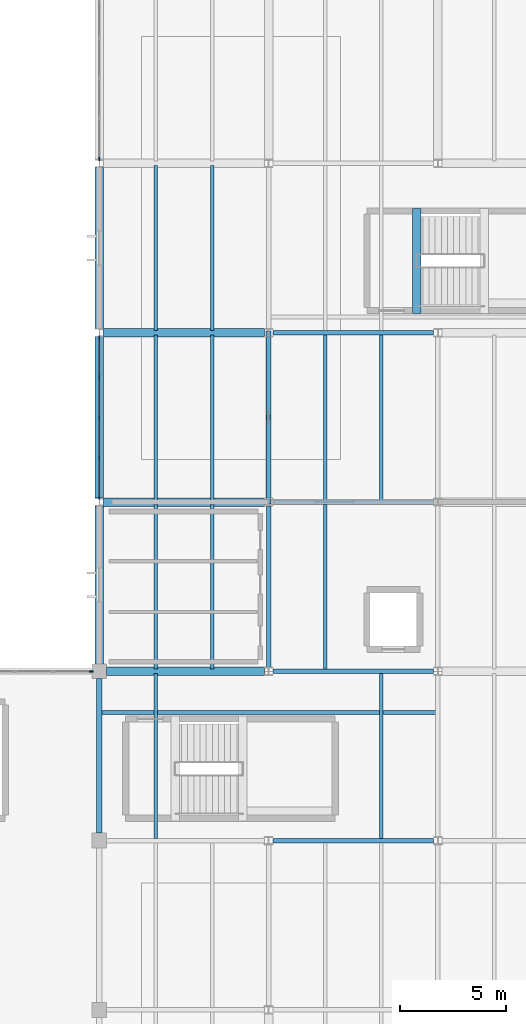
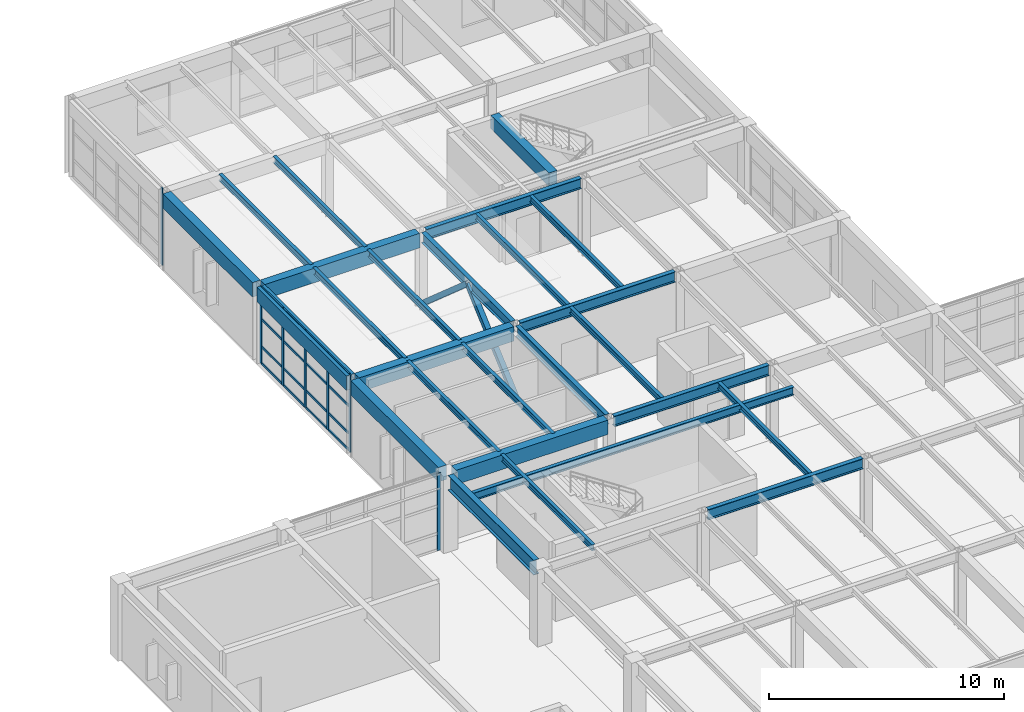
# One storey, part 23 of 48: 26 beams, 25 members, 3 elements without a shape of their own.
"""IFC4 building model written with IfcOpenShell, lengths in metres."""

from ifc_helpers import new_model, si_unit, direction, frame, origin, origin_2d, place, context, subcontext, project, spatial, rectangle, hollow_rectangle, i_section, extrude, material, layer, layer_set, material_profile, profile_set, type_object, element, aggregate, save


model = new_model("IFC4")

# Units and contexts
model_context = context("Model", 3, precision=1e-05, world=origin(), true_north=direction((0.0, 1.0)))
body_context = subcontext(model_context, "Body", "Model", "MODEL_VIEW")
ifc_project = project(units=[si_unit("LENGTHUNIT", "METRE"), si_unit("AREAUNIT", "SQUARE_METRE"), si_unit("VOLUMEUNIT", "CUBIC_METRE"), si_unit("PLANEANGLEUNIT", "RADIAN"), si_unit("MASSUNIT", "GRAM", prefix="KILO")], contexts=[model_context])

# Site, building, storey
site_placement = place(None, origin())
site = spatial("IfcSite", under=ifc_project, at=site_placement, CompositionType="ELEMENT")
building_placement = place(site_placement, origin())
building = spatial("IfcBuilding", under=site, at=building_placement, Name="Varnela Railside Interchange", CompositionType="ELEMENT")
storey_placement = place(building_placement, frame((0.0, 0.0, 11.199951171875)))
storey = spatial("IfcBuildingStorey", under=building, at=storey_placement, Name="L02", CompositionType="ELEMENT", Elevation=11.199951171875)

# Beams
ifc_material_1 = material(Name="Steel AR 350 (350 MPa)", Category="steel")
ifc_material_profile_1 = material_profile(ifc_material_1, i_section(OverallWidth=0.2109375, OverallDepth=0.5390625, WebThickness=0.01171875, FlangeThickness=0.018798828125, at=origin_2d()), Name="W530x109")
ifc_profile_set_1 = profile_set([ifc_material_profile_1], Name="Steel AR 350 (350 MPa)")
beam_type_1 = type_object("IfcBeamType", Name="Composite Girder B-17", PredefinedType="BEAM", material=ifc_profile_set_1)
for number, where, z_axis, x_axis, name in (
    (1, (124.0, 62.1875, 3.73046875), (0.0, 1.0, 0.0), (-1.0, 0.0, 0.0), "Composite Girder B-17 (L02) (BM-2030)"),
    (2, (124.0, 70.1875, 3.73046875), (0.0, 1.0, 0.0), (-1.0, 0.0, 0.0), "Composite Girder B-17 (L02) (BM-2031)"),
):
    element("IfcBeam", number, at=place(storey_placement, frame(where, z_axis=z_axis, x_axis=x_axis)), inside=storey, type_object=beam_type_1, Name=name, PredefinedType="BEAM", context=body_context, shape_type="SweptSolid", body=[
        extrude(i_section(OverallWidth=0.2109375, OverallDepth=0.5390625, WebThickness=0.01171875, FlangeThickness=0.018798828125, at=origin_2d()), origin(), (0.0, 0.0, 1.0), 7.625),
    ])
ifc_material_profile_2 = material_profile(ifc_material_1, i_section(OverallWidth=0.2119140625, OverallDepth=0.5439453125, WebThickness=0.01318359375, FlangeThickness=0.021240234375, at=origin_2d()), Name="W530x123")
ifc_profile_set_2 = profile_set([ifc_material_profile_2], Name="Steel AR 350 (350 MPa)")
beam_type_2 = type_object("IfcBeamType", Name="Composite Heavy Girder B-16", PredefinedType="BEAM", material=ifc_profile_set_2)
for number, where, z_axis, x_axis, name in (
    (3, (124.197021484375, 54.0, 3.72802734375), (1.0, 0.0, 0.0), (0.0, 1.0, 0.0), "Composite Heavy Girder B-16 (L02) (BM-1965)"),
    (4, (124.197021484375, 62.0, 3.72802734375), (1.0, 0.0, 0.0), (0.0, 1.0, 0.0), "Composite Heavy Girder B-16 (L02) (BM-1976)"),
    (5, (124.197021484375, 70.0, 3.72802734375), (1.0, 0.0, 0.0), (0.0, 1.0, 0.0), "Composite Heavy Girder B-16 (L02) (BM-1987)"),
    (6, (124.197021484375, 78.0, 3.72802734375), (1.0, 0.0, 0.0), (0.0, 1.0, 0.0), "Composite Heavy Girder B-16 (L02) (BM-1993)"),
):
    element("IfcBeam", number, at=place(storey_placement, frame(where, z_axis=z_axis, x_axis=x_axis)), inside=storey, type_object=beam_type_2, Name=name, PredefinedType="BEAM", context=body_context, shape_type="SweptSolid", body=[
        extrude(i_section(OverallWidth=0.2119140625, OverallDepth=0.5439453125, WebThickness=0.01318359375, FlangeThickness=0.021240234375, at=origin_2d()), origin(), (0.0, 0.0, 1.0), 7.60595703125),
    ])
ifc_material_profile_3 = material_profile(ifc_material_1, i_section(OverallWidth=0.1669921875, OverallDepth=0.31689453125, WebThickness=0.007568359375, FlangeThickness=0.01318359375, at=origin_2d()), Name="W310x52")
ifc_profile_set_3 = profile_set([ifc_material_profile_3], Name="Steel AR 350 (350 MPa)")
beam_type_3 = type_object("IfcBeamType", Name="Composite Long-Span Joist J-03", PredefinedType="JOIST", material=ifc_profile_set_3)
for number, where, z_axis, x_axis, name in (
    (7, (118.669921875, 54.10595703125, 3.841552734375), (0.0, 1.0, 0.0), (-1.0, 0.0, 0.0), "Composite Long-Span Joist J-03 (L02) (BM-1845)"),
    (8, (118.669921875, 62.10595703125, 3.841552734375), (0.0, 1.0, 0.0), (-1.0, 0.0, 0.0), "Composite Long-Span Joist J-03 (L02) (BM-1846)"),
    (9, (121.330078125, 62.10595703125, 3.841552734375), (0.0, 1.0, 0.0), (-1.0, 0.0, 0.0), "Composite Long-Span Joist J-03 (L02) (BM-1847)"),
    (10, (118.669921875, 70.10595703125, 3.841552734375), (0.0, 1.0, 0.0), (-1.0, 0.0, 0.0), "Composite Long-Span Joist J-03 (L02) (BM-1848)"),
    (11, (121.330078125, 70.10595703125, 3.841552734375), (0.0, 1.0, 0.0), (-1.0, 0.0, 0.0), "Composite Long-Span Joist J-03 (L02) (BM-1849)"),
    (12, (118.669921875, 78.10595703125, 3.841552734375), (0.0, 1.0, 0.0), (-1.0, 0.0, 0.0), "Composite Long-Span Joist J-03 (L02) (BM-1850)"),
    (13, (121.330078125, 78.10595703125, 3.841552734375), (0.0, 1.0, 0.0), (-1.0, 0.0, 0.0), "Composite Long-Span Joist J-03 (L02) (BM-1851)"),
    (14, (129.330078125, 54.10595703125, 3.841552734375), (0.0, 1.0, 0.0), (-1.0, 0.0, 0.0), "Composite Long-Span Joist J-03 (L02) (BM-1858)"),
    (15, (126.669921875, 62.10595703125, 3.841552734375), (0.0, 1.0, 0.0), (-1.0, 0.0, 0.0), "Composite Long-Span Joist J-03 (L02) (BM-1859)"),
    (16, (126.669921875, 70.10595703125, 3.841552734375), (0.0, 1.0, 0.0), (-1.0, 0.0, 0.0), "Composite Long-Span Joist J-03 (L02) (BM-1860)"),
    (17, (129.330078125, 70.10595703125, 3.841552734375), (0.0, 1.0, 0.0), (-1.0, 0.0, 0.0), "Composite Long-Span Joist J-03 (L02) (BM-1861)"),
):
    element("IfcBeam", number, at=place(storey_placement, frame(where, z_axis=z_axis, x_axis=x_axis)), inside=storey, type_object=beam_type_3, Name=name, PredefinedType="JOIST", context=body_context, shape_type="SweptSolid", body=[
        extrude(i_section(OverallWidth=0.1669921875, OverallDepth=0.31689453125, WebThickness=0.007568359375, FlangeThickness=0.01318359375, at=origin_2d()), origin(), (0.0, 0.0, 1.0), 7.7880859375),
    ])
ifc_material_profile_4 = material_profile(ifc_material_1, i_section(OverallWidth=0.26806640625, OverallDepth=0.77001953125, WebThickness=0.015625, FlangeThickness=0.025390625, at=origin_2d()), Name="W760x196")
ifc_profile_set_4 = profile_set([ifc_material_profile_4], Name="Steel AR 350 (350 MPa)")
beam_type_4 = type_object("IfcBeamType", Name="Concourse Compression Ring Beam RB-01", PredefinedType="BEAM", material=ifc_profile_set_4)
beam_1_placement = place(storey_placement, frame((116.0, 54.35009765625, 3.614990234375), z_axis=(0.0, 1.0, 0.0), x_axis=(-1.0, 0.0, 0.0)))
element("IfcBeam", 18, at=beam_1_placement, inside=storey, type_object=beam_type_4, Name="Concourse Compression Ring Beam RB-01 (L02) (BM-2023)", PredefinedType="BEAM", context=body_context, shape_type="SweptSolid", body=[
    extrude(i_section(OverallWidth=0.26806640625, OverallDepth=0.77001953125, WebThickness=0.015625, FlangeThickness=0.025390625, at=origin_2d()), origin(), (0.0, 0.0, 1.0), 7.2998046875),
])

# Curtain wall, member
ifc_material_2 = material(Name="Aluminium 6063-T6", Category="aluminium")
ifc_layer_1 = layer(ifc_material_2, 0.035888671875)
ifc_layer_set_1 = layer_set([ifc_layer_1], Name="Aluminium 6063-T6")
curtain_wall_type_1 = type_object("IfcCurtainWallType", Name="Concourse Triple-Height Curtain Wall CW-01", PredefinedType="USERDEFINED", material=ifc_layer_set_1)
curtain_wall_1_placement = place(storey_placement, origin())
curtain_wall_1 = element("IfcCurtainWall", 19, at=curtain_wall_1_placement, inside=storey, type_object=curtain_wall_type_1, Name="Curtain Wall CW-01 (L02) (CW-054)", ObjectType="CURTAIN WALL", PredefinedType="USERDEFINED")
ifc_material_profile_5 = material_profile(ifc_material_2, rectangle(XDim=0.06494140625, YDim=0.179931640625, at=origin_2d()), Name="ALU 65x180")
ifc_profile_set_5 = profile_set([ifc_material_profile_5], Name="Aluminium 6063-T6")
member_type_1 = type_object("IfcMemberType", Name="Concourse Tall Mullion ML-03", PredefinedType="MULLION", material=ifc_profile_set_5)
member_1_placement = place(storey_placement, frame((115.617431640625, 62.0, 0.0), z_axis=(0.0, 0.0, 1.0), x_axis=(0.0, 1.0, 0.0)))
member_1 = element("IfcMember", 20, at=member_1_placement, type_object=member_type_1, Name="CW-01 mullion 5", PredefinedType="MULLION", context=body_context, shape_type="SweptSolid", body=[
    extrude(rectangle(XDim=0.06494140625, YDim=0.179931640625, at=origin_2d()), origin(), (0.0, 0.0, 1.0), 4.0),
])
aggregate(curtain_wall_1, [member_1])

# Beam
ifc_material_3 = material(Name="Concrete C40", Category="concrete")
ifc_material_profile_6 = material_profile(ifc_material_3, rectangle(XDim=0.39990234375, YDim=0.699951171875, at=origin_2d()), Name="RC 400x700")
ifc_profile_set_6 = profile_set([ifc_material_profile_6], Name="Concrete C40")
beam_type_5 = type_object("IfcBeamType", Name="Concrete Tie Beam B-01", PredefinedType="BEAM", material=ifc_profile_set_6)
beam_2_placement = place(storey_placement, frame((131.0, 78.919921875, 3.650146484375), z_axis=(0.0, 1.0, 0.0), x_axis=(-1.0, 0.0, 0.0)))
element("IfcBeam", 21, at=beam_2_placement, inside=storey, type_object=beam_type_5, Name="Concrete Tie Beam B-01 (L02) (BM-2113)", PredefinedType="BEAM", context=body_context, shape_type="SweptSolid", body=[
    extrude(rectangle(XDim=0.39990234375, YDim=0.699951171875, at=origin_2d()), origin(), (0.0, 0.0, 1.0), 4.9599609375),
])

# Curtain wall, members
ifc_layer_2 = layer(ifc_material_2, 0.035888671875)
ifc_layer_set_2 = layer_set([ifc_layer_2], Name="Aluminium 6063-T6")
curtain_wall_type_2 = type_object("IfcCurtainWallType", Name="Study Pavilion Gallery Curtain Wall CW-02", PredefinedType="USERDEFINED", material=ifc_layer_set_2)
curtain_wall_2_placement = place(storey_placement, origin())
curtain_wall_2 = element("IfcCurtainWall", 22, at=curtain_wall_2_placement, inside=storey, type_object=curtain_wall_type_2, Name="Curtain Wall CW-02 (L02) (CW-055)", ObjectType="CURTAIN WALL", PredefinedType="USERDEFINED")
ifc_material_profile_7 = material_profile(ifc_material_2, rectangle(XDim=0.06005859375, YDim=0.159912109375, at=origin_2d()), Name="ALU 60x160")
ifc_profile_set_7 = profile_set([ifc_material_profile_7], Name="Aluminium 6063-T6")
member_type_2 = type_object("IfcMemberType", Name="Curtain Wall Mullion ML-02", PredefinedType="MULLION", material=ifc_profile_set_7)
member_2_placement = place(storey_placement, frame((116.0, 70.217529296875, 0.0), z_axis=(0.0, 0.0, 1.0), x_axis=(-1.0, 0.0, 0.0)))
member_2 = element("IfcMember", 23, at=member_2_placement, type_object=member_type_2, Name="CW-02 mullion 1", PredefinedType="MULLION", context=body_context, shape_type="SweptSolid", body=[
    extrude(rectangle(XDim=0.06005859375, YDim=0.159912109375, at=origin_2d()), origin(), (0.0, 0.0, 1.0), 4.0),
])
member_3_placement = place(storey_placement, frame((116.0, 72.09375, 0.0), z_axis=(0.0, 0.0, 1.0), x_axis=(-1.0, 0.0, 0.0)))
member_3 = element("IfcMember", 24, at=member_3_placement, type_object=member_type_2, Name="CW-02 mullion 2", PredefinedType="MULLION", context=body_context, shape_type="SweptSolid", body=[
    extrude(rectangle(XDim=0.06005859375, YDim=0.159912109375, at=origin_2d()), origin(), (0.0, 0.0, 1.0), 4.0),
])
member_4_placement = place(storey_placement, frame((116.0, 74.0, 0.0), z_axis=(0.0, 0.0, 1.0), x_axis=(-1.0, 0.0, 0.0)))
member_4 = element("IfcMember", 25, at=member_4_placement, type_object=member_type_2, Name="CW-02 mullion 3", PredefinedType="MULLION", context=body_context, shape_type="SweptSolid", body=[
    extrude(rectangle(XDim=0.06005859375, YDim=0.159912109375, at=origin_2d()), origin(), (0.0, 0.0, 1.0), 4.0),
])
member_5_placement = place(storey_placement, frame((116.0, 75.90625, 0.0), z_axis=(0.0, 0.0, 1.0), x_axis=(-1.0, 0.0, 0.0)))
member_5 = element("IfcMember", 26, at=member_5_placement, type_object=member_type_2, Name="CW-02 mullion 4", PredefinedType="MULLION", context=body_context, shape_type="SweptSolid", body=[
    extrude(rectangle(XDim=0.06005859375, YDim=0.159912109375, at=origin_2d()), origin(), (0.0, 0.0, 1.0), 4.0),
])
member_6_placement = place(storey_placement, frame((116.0, 77.782470703125, 0.0), z_axis=(0.0, 0.0, 1.0), x_axis=(-1.0, 0.0, 0.0)))
member_6 = element("IfcMember", 27, at=member_6_placement, type_object=member_type_2, Name="CW-02 mullion 5", PredefinedType="MULLION", context=body_context, shape_type="SweptSolid", body=[
    extrude(rectangle(XDim=0.06005859375, YDim=0.159912109375, at=origin_2d()), origin(), (0.0, 0.0, 1.0), 4.0),
])

# Curtain wall, member
curtain_wall_3_placement = place(storey_placement, origin())
curtain_wall_3 = element("IfcCurtainWall", 28, at=curtain_wall_3_placement, inside=storey, type_object=curtain_wall_type_2, Name="Curtain Wall CW-02 (L02) (CW-056)", ObjectType="CURTAIN WALL", PredefinedType="USERDEFINED")
member_7_placement = place(storey_placement, frame((116.0, 86.217529296875, 0.0), z_axis=(0.0, 0.0, 1.0), x_axis=(-1.0, 0.0, 0.0)))
member_7 = element("IfcMember", 29, at=member_7_placement, type_object=member_type_2, Name="CW-02 mullion 1", PredefinedType="MULLION", context=body_context, shape_type="SweptSolid", body=[
    extrude(rectangle(XDim=0.06005859375, YDim=0.159912109375, at=origin_2d()), origin(), (0.0, 0.0, 1.0), 4.0),
])
aggregate(curtain_wall_3, [member_7])

# Member
ifc_material_profile_8 = material_profile(ifc_material_2, rectangle(XDim=0.06005859375, YDim=0.1201171875, at=origin_2d()), Name="ALU 60x120")
ifc_profile_set_8 = profile_set([ifc_material_profile_8], Name="Aluminium 6063-T6")
member_type_3 = type_object("IfcMemberType", Name="Curtain Wall Transom TR-02", PredefinedType="USERDEFINED", material=ifc_profile_set_8)
member_8_placement = place(storey_placement, frame((116.0, 70.24755859375, 0.030029296875), z_axis=(0.0, 1.0, 0.0), x_axis=(-1.0, 0.0, 0.0)))
member_8 = element("IfcMember", 30, at=member_8_placement, type_object=member_type_3, Name="CW-02 transom 1.1", ObjectType="TRANSOM", PredefinedType="USERDEFINED", context=body_context, shape_type="SweptSolid", body=[
    extrude(rectangle(XDim=0.06005859375, YDim=0.1201171875, at=origin_2d()), origin(), (0.0, 0.0, 1.0), 1.816162109375),
])

member_9_placement = place(storey_placement, frame((116.0, 70.24755859375, 0.900146484375), z_axis=(0.0, 1.0, 0.0), x_axis=(-1.0, 0.0, 0.0)))
member_9 = element("IfcMember", 31, at=member_9_placement, type_object=member_type_3, Name="CW-02 transom 1.2", ObjectType="TRANSOM", PredefinedType="USERDEFINED", context=body_context, shape_type="SweptSolid", body=[
    extrude(rectangle(XDim=0.06005859375, YDim=0.1201171875, at=origin_2d()), origin(), (0.0, 0.0, 1.0), 1.816162109375),
])

member_10_placement = place(storey_placement, frame((116.0, 70.24755859375, 2.320068359375), z_axis=(0.0, 1.0, 0.0), x_axis=(-1.0, 0.0, 0.0)))
member_10 = element("IfcMember", 32, at=member_10_placement, type_object=member_type_3, Name="CW-02 transom 1.3", ObjectType="TRANSOM", PredefinedType="USERDEFINED", context=body_context, shape_type="SweptSolid", body=[
    extrude(rectangle(XDim=0.06005859375, YDim=0.1201171875, at=origin_2d()), origin(), (0.0, 0.0, 1.0), 1.816162109375),
])

member_11_placement = place(storey_placement, frame((116.0, 70.24755859375, 3.969970703125), z_axis=(0.0, 1.0, 0.0), x_axis=(-1.0, 0.0, 0.0)))
member_11 = element("IfcMember", 33, at=member_11_placement, type_object=member_type_3, Name="CW-02 transom 1.4", ObjectType="TRANSOM", PredefinedType="USERDEFINED", context=body_context, shape_type="SweptSolid", body=[
    extrude(rectangle(XDim=0.06005859375, YDim=0.1201171875, at=origin_2d()), origin(), (0.0, 0.0, 1.0), 1.816162109375),
])

member_12_placement = place(storey_placement, frame((116.0, 72.123779296875, 0.030029296875), z_axis=(0.0, 1.0, 0.0), x_axis=(-1.0, 0.0, 0.0)))
member_12 = element("IfcMember", 34, at=member_12_placement, type_object=member_type_3, Name="CW-02 transom 2.1", ObjectType="TRANSOM", PredefinedType="USERDEFINED", context=body_context, shape_type="SweptSolid", body=[
    extrude(rectangle(XDim=0.06005859375, YDim=0.1201171875, at=origin_2d()), origin(), (0.0, 0.0, 1.0), 1.84619140625),
])

member_13_placement = place(storey_placement, frame((116.0, 72.123779296875, 0.900146484375), z_axis=(0.0, 1.0, 0.0), x_axis=(-1.0, 0.0, 0.0)))
member_13 = element("IfcMember", 35, at=member_13_placement, type_object=member_type_3, Name="CW-02 transom 2.2", ObjectType="TRANSOM", PredefinedType="USERDEFINED", context=body_context, shape_type="SweptSolid", body=[
    extrude(rectangle(XDim=0.06005859375, YDim=0.1201171875, at=origin_2d()), origin(), (0.0, 0.0, 1.0), 1.84619140625),
])

member_14_placement = place(storey_placement, frame((116.0, 72.123779296875, 2.320068359375), z_axis=(0.0, 1.0, 0.0), x_axis=(-1.0, 0.0, 0.0)))
member_14 = element("IfcMember", 36, at=member_14_placement, type_object=member_type_3, Name="CW-02 transom 2.3", ObjectType="TRANSOM", PredefinedType="USERDEFINED", context=body_context, shape_type="SweptSolid", body=[
    extrude(rectangle(XDim=0.06005859375, YDim=0.1201171875, at=origin_2d()), origin(), (0.0, 0.0, 1.0), 1.84619140625),
])

member_15_placement = place(storey_placement, frame((116.0, 72.123779296875, 3.969970703125), z_axis=(0.0, 1.0, 0.0), x_axis=(-1.0, 0.0, 0.0)))
member_15 = element("IfcMember", 37, at=member_15_placement, type_object=member_type_3, Name="CW-02 transom 2.4", ObjectType="TRANSOM", PredefinedType="USERDEFINED", context=body_context, shape_type="SweptSolid", body=[
    extrude(rectangle(XDim=0.06005859375, YDim=0.1201171875, at=origin_2d()), origin(), (0.0, 0.0, 1.0), 1.84619140625),
])

member_16_placement = place(storey_placement, frame((116.0, 74.030029296875, 0.030029296875), z_axis=(0.0, 1.0, 0.0), x_axis=(-1.0, 0.0, 0.0)))
member_16 = element("IfcMember", 38, at=member_16_placement, type_object=member_type_3, Name="CW-02 transom 3.1", ObjectType="TRANSOM", PredefinedType="USERDEFINED", context=body_context, shape_type="SweptSolid", body=[
    extrude(rectangle(XDim=0.06005859375, YDim=0.1201171875, at=origin_2d()), origin(), (0.0, 0.0, 1.0), 1.84619140625),
])

member_17_placement = place(storey_placement, frame((116.0, 74.030029296875, 0.900146484375), z_axis=(0.0, 1.0, 0.0), x_axis=(-1.0, 0.0, 0.0)))
member_17 = element("IfcMember", 39, at=member_17_placement, type_object=member_type_3, Name="CW-02 transom 3.2", ObjectType="TRANSOM", PredefinedType="USERDEFINED", context=body_context, shape_type="SweptSolid", body=[
    extrude(rectangle(XDim=0.06005859375, YDim=0.1201171875, at=origin_2d()), origin(), (0.0, 0.0, 1.0), 1.84619140625),
])

member_18_placement = place(storey_placement, frame((116.0, 74.030029296875, 2.320068359375), z_axis=(0.0, 1.0, 0.0), x_axis=(-1.0, 0.0, 0.0)))
member_18 = element("IfcMember", 40, at=member_18_placement, type_object=member_type_3, Name="CW-02 transom 3.3", ObjectType="TRANSOM", PredefinedType="USERDEFINED", context=body_context, shape_type="SweptSolid", body=[
    extrude(rectangle(XDim=0.06005859375, YDim=0.1201171875, at=origin_2d()), origin(), (0.0, 0.0, 1.0), 1.84619140625),
])

member_19_placement = place(storey_placement, frame((116.0, 74.030029296875, 3.969970703125), z_axis=(0.0, 1.0, 0.0), x_axis=(-1.0, 0.0, 0.0)))
member_19 = element("IfcMember", 41, at=member_19_placement, type_object=member_type_3, Name="CW-02 transom 3.4", ObjectType="TRANSOM", PredefinedType="USERDEFINED", context=body_context, shape_type="SweptSolid", body=[
    extrude(rectangle(XDim=0.06005859375, YDim=0.1201171875, at=origin_2d()), origin(), (0.0, 0.0, 1.0), 1.84619140625),
])

member_20_placement = place(storey_placement, frame((116.0, 75.936279296875, 0.030029296875), z_axis=(0.0, 1.0, 0.0), x_axis=(-1.0, 0.0, 0.0)))
member_20 = element("IfcMember", 42, at=member_20_placement, type_object=member_type_3, Name="CW-02 transom 4.1", ObjectType="TRANSOM", PredefinedType="USERDEFINED", context=body_context, shape_type="SweptSolid", body=[
    extrude(rectangle(XDim=0.06005859375, YDim=0.1201171875, at=origin_2d()), origin(), (0.0, 0.0, 1.0), 1.816162109375),
])

member_21_placement = place(storey_placement, frame((116.0, 75.936279296875, 0.900146484375), z_axis=(0.0, 1.0, 0.0), x_axis=(-1.0, 0.0, 0.0)))
member_21 = element("IfcMember", 43, at=member_21_placement, type_object=member_type_3, Name="CW-02 transom 4.2", ObjectType="TRANSOM", PredefinedType="USERDEFINED", context=body_context, shape_type="SweptSolid", body=[
    extrude(rectangle(XDim=0.06005859375, YDim=0.1201171875, at=origin_2d()), origin(), (0.0, 0.0, 1.0), 1.816162109375),
])

member_22_placement = place(storey_placement, frame((116.0, 75.936279296875, 2.320068359375), z_axis=(0.0, 1.0, 0.0), x_axis=(-1.0, 0.0, 0.0)))
member_22 = element("IfcMember", 44, at=member_22_placement, type_object=member_type_3, Name="CW-02 transom 4.3", ObjectType="TRANSOM", PredefinedType="USERDEFINED", context=body_context, shape_type="SweptSolid", body=[
    extrude(rectangle(XDim=0.06005859375, YDim=0.1201171875, at=origin_2d()), origin(), (0.0, 0.0, 1.0), 1.816162109375),
])

member_23_placement = place(storey_placement, frame((116.0, 75.936279296875, 3.969970703125), z_axis=(0.0, 1.0, 0.0), x_axis=(-1.0, 0.0, 0.0)))
member_23 = element("IfcMember", 45, at=member_23_placement, type_object=member_type_3, Name="CW-02 transom 4.4", ObjectType="TRANSOM", PredefinedType="USERDEFINED", context=body_context, shape_type="SweptSolid", body=[
    extrude(rectangle(XDim=0.06005859375, YDim=0.1201171875, at=origin_2d()), origin(), (0.0, 0.0, 1.0), 1.816162109375),
])

aggregate(curtain_wall_2, [member_2, member_3, member_4, member_5, member_6, member_8, member_9, member_10, member_11, member_12, member_13, member_14, member_15, member_16, member_17, member_18, member_19, member_20, member_21, member_22, member_23])

# Members
ifc_material_profile_9 = material_profile(ifc_material_1, hollow_rectangle(XDim=0.25, YDim=0.25, WallThickness=0.01611328125, at=origin_2d()), Name="HSS 250x250x16")
ifc_profile_set_9 = profile_set([ifc_material_profile_9], Name="Steel AR 350 (350 MPa)")
member_type_4 = type_object("IfcMemberType", Name="Lateral Chevron Brace BR-03", PredefinedType="BRACE", material=ifc_profile_set_9)
for number, where, z_axis, x_axis, name in (
    (46, (124.0, 70.0, 0.150146484375), (0.0, 0.752576694707, 0.658504607869), (-1.0, 0.0, 0.0), "Lateral Chevron Brace BR-03 (L02) (MB-0087)"),
    (47, (124.0, 78.0, 0.150146484375), (0.0, -0.752576694707, 0.658504607869), (1.0, 0.0, 0.0), "Lateral Chevron Brace BR-03 (L02) (MB-0088)"),
):
    element("IfcMember", number, at=place(storey_placement, frame(where, z_axis=z_axis, x_axis=x_axis)), inside=storey, type_object=member_type_4, Name=name, PredefinedType="BRACE", context=body_context, shape_type="SweptSolid", body=[
        extrude(hollow_rectangle(XDim=0.25, YDim=0.25, WallThickness=0.01611328125, at=origin_2d()), origin(), (0.0, 0.0, 1.0), 5.315185546875),
    ])

# Beams
ifc_material_4 = material(Name="Concrete C40 precast", Category="concrete")
ifc_material_profile_10 = material_profile(ifc_material_4, rectangle(XDim=0.39990234375, YDim=0.75, at=origin_2d()), Name="PC 400x750")
ifc_profile_set_10 = profile_set([ifc_material_profile_10], Name="Concrete C40 precast")
beam_type_6 = type_object("IfcBeamType", Name="Precast Facade Spandrel SP-03", PredefinedType="SPANDREL", material=ifc_profile_set_10)
beam_3_placement = place(storey_placement, frame((116.35009765625, 62.0, 3.625), z_axis=(1.0, 0.0, 0.0), x_axis=(0.0, 1.0, 0.0)))
element("IfcBeam", 48, at=beam_3_placement, inside=storey, type_object=beam_type_6, Name="Precast Facade Spandrel SP-03 (L02) (BM-1975)", PredefinedType="SPANDREL", context=body_context, shape_type="SweptSolid", body=[
    extrude(rectangle(XDim=0.39990234375, YDim=0.75, at=origin_2d()), origin(), (0.0, 0.0, 1.0), 7.452880859375),
])
for number, where, z_axis, x_axis, name in (
    (49, (116.197021484375, 70.0, 3.625), (1.0, 0.0, 0.0), (0.0, 1.0, 0.0), "Precast Facade Spandrel SP-03 (L02) (BM-1986)"),
    (50, (116.197021484375, 78.0, 3.625), (1.0, 0.0, 0.0), (0.0, 1.0, 0.0), "Precast Facade Spandrel SP-03 (L02) (BM-1992)"),
):
    element("IfcBeam", number, at=place(storey_placement, frame(where, z_axis=z_axis, x_axis=x_axis)), inside=storey, type_object=beam_type_6, Name=name, PredefinedType="SPANDREL", context=body_context, shape_type="SweptSolid", body=[
        extrude(rectangle(XDim=0.39990234375, YDim=0.75, at=origin_2d()), origin(), (0.0, 0.0, 1.0), 7.60595703125),
    ])
beam_4_placement = place(storey_placement, frame((116.0, 62.35009765625, 3.625), z_axis=(0.0, 1.0, 0.0), x_axis=(-1.0, 0.0, 0.0)))
element("IfcBeam", 51, at=beam_4_placement, inside=storey, type_object=beam_type_6, Name="Precast Facade Spandrel SP-03 (L02) (BM-2024)", PredefinedType="SPANDREL", context=body_context, shape_type="SweptSolid", body=[
    extrude(rectangle(XDim=0.39990234375, YDim=0.75, at=origin_2d()), origin(), (0.0, 0.0, 1.0), 7.46240234375),
])
for number, where, z_axis, x_axis, name in (
    (52, (116.0, 70.1875, 3.625), (0.0, 1.0, 0.0), (-1.0, 0.0, 0.0), "Precast Facade Spandrel SP-03 (L02) (BM-2025)"),
    (53, (116.0, 78.1875, 3.625), (0.0, 1.0, 0.0), (-1.0, 0.0, 0.0), "Precast Facade Spandrel SP-03 (L02) (BM-2026)"),
):
    element("IfcBeam", number, at=place(storey_placement, frame(where, z_axis=z_axis, x_axis=x_axis)), inside=storey, type_object=beam_type_6, Name=name, PredefinedType="SPANDREL", context=body_context, shape_type="SweptSolid", body=[
        extrude(rectangle(XDim=0.39990234375, YDim=0.75, at=origin_2d()), origin(), (0.0, 0.0, 1.0), 7.625),
    ])
ifc_material_profile_11 = material_profile(ifc_material_1, i_section(OverallWidth=0.179931640625, OverallDepth=0.4130859375, WebThickness=0.009765625, FlangeThickness=0.01611328125, at=origin_2d()), Name="W410x75")
ifc_profile_set_11 = profile_set([ifc_material_profile_11], Name="Steel AR 350 (350 MPa)")
beam_type_7 = type_object("IfcBeamType", Name="Stair Trimmer Steel Beam B-22", PredefinedType="BEAM", material=ifc_profile_set_11)
beam_5_placement = place(storey_placement, frame((116.080078125, 60.050048828125, 3.79345703125), z_axis=(1.0, 0.0, 0.0), x_axis=(0.0, 1.0, 0.0)))
element("IfcBeam", 54, at=beam_5_placement, inside=storey, type_object=beam_type_7, Name="Stair Trimmer Steel Beam B-22 (L02) (BM-2098)", PredefinedType="BEAM", context=body_context, shape_type="SweptSolid", body=[
    extrude(i_section(OverallWidth=0.179931640625, OverallDepth=0.4130859375, WebThickness=0.009765625, FlangeThickness=0.01611328125, at=origin_2d()), origin(), (0.0, 0.0, 1.0), 15.8193359375),
])

save(model, "model.ifc")
